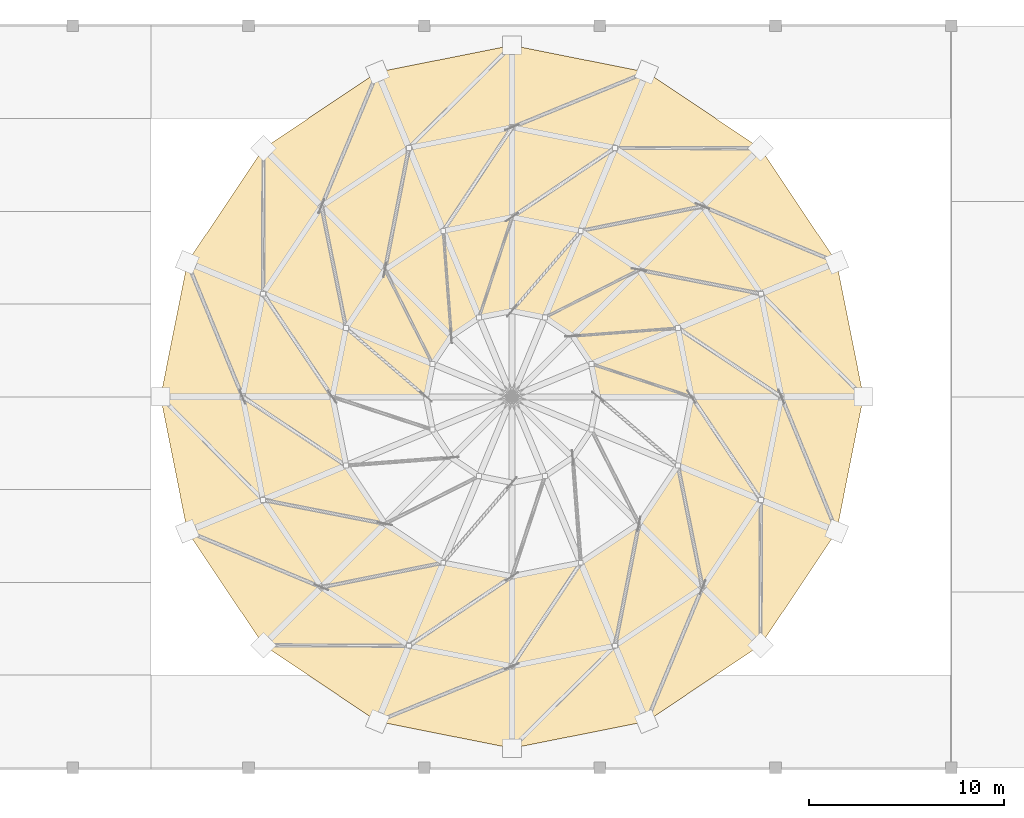
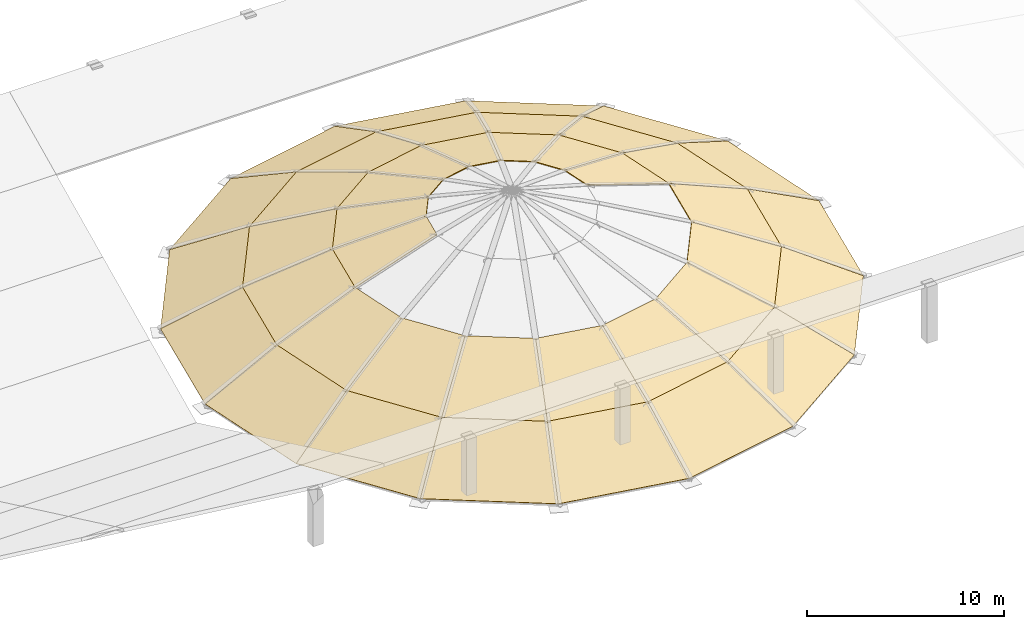
# One storey, part 7 of 7: 40 coverings.
"""IFC4 building model written with IfcOpenShell, lengths in metres."""

from ifc_helpers import new_model, si_unit, direction, frame, origin, place, context, subcontext, project, spatial, polyline, outline, extrude, material, layer, layer_set, type_object, element, save


model = new_model("IFC4")

# Units and contexts
model_context = context("Model", 3, precision=1e-05, world=origin(), true_north=direction((0.0, 1.0)))
body_context = subcontext(model_context, "Body", "Model", "MODEL_VIEW")
ifc_project = project(units=[si_unit("LENGTHUNIT", "METRE"), si_unit("AREAUNIT", "SQUARE_METRE"), si_unit("VOLUMEUNIT", "CUBIC_METRE"), si_unit("PLANEANGLEUNIT", "RADIAN"), si_unit("MASSUNIT", "GRAM", prefix="KILO")], contexts=[model_context])

# Site, building, storey
site_placement = place(None, origin())
site = spatial("IfcSite", under=ifc_project, at=site_placement, CompositionType="ELEMENT")
building_placement = place(site_placement, origin())
building = spatial("IfcBuilding", under=site, at=building_placement, Name="Miravela Opera House", CompositionType="ELEMENT")
storey_placement = place(building_placement, frame((0.0, 0.0, 30.760009765625)))
storey = spatial("IfcBuildingStorey", under=building, at=storey_placement, Name="RF", CompositionType="ELEMENT", Elevation=30.760009765625)

# Coverings
ifc_material = material(Name="Anodised architectural bronze standing-seam metal")
ifc_layer = layer(ifc_material, 0.044921875)
ifc_layer_set = layer_set([ifc_layer])
covering_type = type_object("IfcCoveringType", Name="ARC-COV-BRONZE-SEAM", PredefinedType="ROOFING", material=ifc_layer_set)
covering_1_placement = place(storey_placement, frame((94.5, 56.0, -4.514892578125), z_axis=(0.462034391653, 0.091906329486, 0.882086984106), x_axis=(-0.195088262972, 0.980785689965, -3.316993e-06)))
element("IfcCovering", 1, at=covering_1_placement, inside=storey, type_object=covering_type, Name="Roof Finish Covering 001", PredefinedType="ROOFING", context=body_context, shape_type="SweptSolid", body=[
    extrude(outline(polyline([(0.0, 0.0), (7.023125680777193, 2.220446049250313e-16), (6.203836316813696, 4.669994667139818), (0.8193538814632796, 4.669907303255811), (0.0, 0.0)])), origin(), (0.0, 0.0, -1.0), 0.044921875),
])
covering_2_placement = place(storey_placement, frame((93.1298828125, 62.88818359375, -4.514892578125), z_axis=(0.39169699026, 0.26173074797, 0.882083036561), x_axis=(-0.555588189725, 0.831457613722, 4.759863e-06)))
element("IfcCovering", 2, at=covering_2_placement, inside=storey, type_object=covering_type, Name="Roof Finish Covering 002", PredefinedType="ROOFING", context=body_context, shape_type="SweptSolid", body=[
    extrude(outline(polyline([(0.0, 0.0), (7.023340014399192, 0.0), (6.204093729638533, 4.669815027829243), (0.8195986590513307, 4.669940394733152), (0.0, 0.0)])), origin(), (0.0, 0.0, -1.0), 0.044921875),
])
covering_3_placement = place(storey_placement, frame((89.227783203125, 68.727783203125, -4.514892578125), z_axis=(0.26173074797, 0.39169699026, 0.882083036561), x_axis=(-0.831457613722, 0.555588189725, -4.759863e-06)))
element("IfcCovering", 3, at=covering_3_placement, inside=storey, type_object=covering_type, Name="Roof Finish Covering 003", PredefinedType="ROOFING", context=body_context, shape_type="SweptSolid", body=[
    extrude(outline(polyline([(0.0, 0.0), (7.023340014399192, 0.0), (6.203741355347861, 4.669940394733152), (0.8192462847606585, 4.669815027829243), (0.0, 0.0)])), origin(), (0.0, 0.0, -1.0), 0.044921875),
])
covering_4_placement = place(storey_placement, frame((83.38818359375, 72.6298828125, -4.514892578125), z_axis=(0.091906329486, 0.462034391653, 0.882086984106), x_axis=(-0.980785689965, 0.195088262972, 3.316993e-06)))
element("IfcCovering", 4, at=covering_4_placement, inside=storey, type_object=covering_type, Name="Roof Finish Covering 004", PredefinedType="ROOFING", context=body_context, shape_type="SweptSolid", body=[
    extrude(outline(polyline([(0.0, 0.0), (7.023125680777193, -2.220446049250313e-16), (6.203771799313913, 4.669907303255811), (0.8192893639634973, 4.669994667139817), (0.0, 0.0)])), origin(), (0.0, 0.0, -1.0), 0.044921875),
])
covering_5_placement = place(storey_placement, frame((76.5, 74.0, -4.514892578125), z_axis=(-0.091906329486, 0.462034391653, 0.882086984106), x_axis=(-0.980785689965, -0.195088262972, -3.316993e-06)))
element("IfcCovering", 5, at=covering_5_placement, inside=storey, type_object=covering_type, Name="Roof Finish Covering 005", PredefinedType="ROOFING", context=body_context, shape_type="SweptSolid", body=[
    extrude(outline(polyline([(0.0, 0.0), (7.023125680777193, 2.220446049250313e-16), (6.203836316813696, 4.669994667139818), (0.8193538814632796, 4.669907303255811), (0.0, 0.0)])), origin(), (0.0, 0.0, -1.0), 0.044921875),
])
covering_6_placement = place(storey_placement, frame((69.61181640625, 72.6298828125, -4.514892578125), z_axis=(-0.26173074797, 0.39169699026, 0.882083036561), x_axis=(-0.831457613722, -0.555588189725, 4.759863e-06)))
element("IfcCovering", 6, at=covering_6_placement, inside=storey, type_object=covering_type, Name="Roof Finish Covering 006", PredefinedType="ROOFING", context=body_context, shape_type="SweptSolid", body=[
    extrude(outline(polyline([(0.0, 0.0), (7.023340014399192, 0.0), (6.204093729638533, 4.669815027829243), (0.8195986590513307, 4.669940394733152), (0.0, 0.0)])), origin(), (0.0, 0.0, -1.0), 0.044921875),
])
covering_7_placement = place(storey_placement, frame((63.772216796875, 68.727783203125, -4.514892578125), z_axis=(-0.39169699026, 0.26173074797, 0.882083036561), x_axis=(-0.555588189725, -0.831457613722, -4.759863e-06)))
element("IfcCovering", 7, at=covering_7_placement, inside=storey, type_object=covering_type, Name="Roof Finish Covering 007", PredefinedType="ROOFING", context=body_context, shape_type="SweptSolid", body=[
    extrude(outline(polyline([(0.0, 0.0), (7.023340014399192, 0.0), (6.203741355347861, 4.669940394733152), (0.8192462847606585, 4.669815027829243), (0.0, 0.0)])), origin(), (0.0, 0.0, -1.0), 0.044921875),
])
covering_8_placement = place(storey_placement, frame((59.8701171875, 62.88818359375, -4.514892578125), z_axis=(-0.462034391653, 0.091906329486, 0.882086984106), x_axis=(-0.195088262972, -0.980785689965, 3.316993e-06)))
element("IfcCovering", 8, at=covering_8_placement, inside=storey, type_object=covering_type, Name="Roof Finish Covering 008", PredefinedType="ROOFING", context=body_context, shape_type="SweptSolid", body=[
    extrude(outline(polyline([(0.0, 0.0), (7.023125680777193, -2.220446049250313e-16), (6.203771799313913, 4.669907303255811), (0.8192893639634973, 4.669994667139817), (0.0, 0.0)])), origin(), (0.0, 0.0, -1.0), 0.044921875),
])
covering_9_placement = place(storey_placement, frame((58.5, 56.0, -4.514892578125), z_axis=(-0.462034391653, -0.091906329486, 0.882086984106), x_axis=(0.195088262972, -0.980785689965, -3.316993e-06)))
element("IfcCovering", 9, at=covering_9_placement, inside=storey, type_object=covering_type, Name="Roof Finish Covering 009", PredefinedType="ROOFING", context=body_context, shape_type="SweptSolid", body=[
    extrude(outline(polyline([(0.0, 0.0), (7.023125680777193, 2.220446049250313e-16), (6.203836316813696, 4.669994667139818), (0.8193538814632796, 4.669907303255811), (0.0, 0.0)])), origin(), (0.0, 0.0, -1.0), 0.044921875),
])
covering_10_placement = place(storey_placement, frame((59.8701171875, 49.11181640625, -4.514892578125), z_axis=(-0.39169699026, -0.26173074797, 0.882083036561), x_axis=(0.555588189725, -0.831457613722, 4.759863e-06)))
element("IfcCovering", 10, at=covering_10_placement, inside=storey, type_object=covering_type, Name="Roof Finish Covering 010", PredefinedType="ROOFING", context=body_context, shape_type="SweptSolid", body=[
    extrude(outline(polyline([(0.0, 0.0), (7.023340014399192, 0.0), (6.204093729638533, 4.669815027829243), (0.8195986590513307, 4.669940394733152), (0.0, 0.0)])), origin(), (0.0, 0.0, -1.0), 0.044921875),
])
covering_11_placement = place(storey_placement, frame((63.772216796875, 43.272216796875, -4.514892578125), z_axis=(-0.26173074797, -0.39169699026, 0.882083036561), x_axis=(0.831457613722, -0.555588189725, -4.759863e-06)))
element("IfcCovering", 11, at=covering_11_placement, inside=storey, type_object=covering_type, Name="Roof Finish Covering 011", PredefinedType="ROOFING", context=body_context, shape_type="SweptSolid", body=[
    extrude(outline(polyline([(0.0, 0.0), (7.023340014399192, 0.0), (6.203741355347861, 4.669940394733152), (0.8192462847606585, 4.669815027829243), (0.0, 0.0)])), origin(), (0.0, 0.0, -1.0), 0.044921875),
])
covering_12_placement = place(storey_placement, frame((69.61181640625, 39.3701171875, -4.514892578125), z_axis=(-0.091906329486, -0.462034391653, 0.882086984106), x_axis=(0.980785689965, -0.195088262972, 3.316993e-06)))
element("IfcCovering", 12, at=covering_12_placement, inside=storey, type_object=covering_type, Name="Roof Finish Covering 012", PredefinedType="ROOFING", context=body_context, shape_type="SweptSolid", body=[
    extrude(outline(polyline([(0.0, 0.0), (7.023125680777193, -2.220446049250313e-16), (6.203771799313913, 4.669907303255811), (0.8192893639634973, 4.669994667139817), (0.0, 0.0)])), origin(), (0.0, 0.0, -1.0), 0.044921875),
])
covering_13_placement = place(storey_placement, frame((76.5, 38.0, -4.514892578125), z_axis=(0.091906329486, -0.462034391653, 0.882086984106), x_axis=(0.980785689965, 0.195088262972, -3.316993e-06)))
element("IfcCovering", 13, at=covering_13_placement, inside=storey, type_object=covering_type, Name="Roof Finish Covering 013", PredefinedType="ROOFING", context=body_context, shape_type="SweptSolid", body=[
    extrude(outline(polyline([(0.0, 0.0), (7.023125680777193, 2.220446049250313e-16), (6.203836316813696, 4.669994667139818), (0.8193538814632796, 4.669907303255811), (0.0, 0.0)])), origin(), (0.0, 0.0, -1.0), 0.044921875),
])
covering_14_placement = place(storey_placement, frame((83.38818359375, 39.3701171875, -4.514892578125), z_axis=(0.26173074797, -0.39169699026, 0.882083036561), x_axis=(0.831457613722, 0.555588189725, 4.759863e-06)))
element("IfcCovering", 14, at=covering_14_placement, inside=storey, type_object=covering_type, Name="Roof Finish Covering 014", PredefinedType="ROOFING", context=body_context, shape_type="SweptSolid", body=[
    extrude(outline(polyline([(0.0, 0.0), (7.023340014399192, 0.0), (6.204093729638533, 4.669815027829243), (0.8195986590513307, 4.669940394733152), (0.0, 0.0)])), origin(), (0.0, 0.0, -1.0), 0.044921875),
])
covering_15_placement = place(storey_placement, frame((89.227783203125, 43.272216796875, -4.514892578125), z_axis=(0.39169699026, -0.26173074797, 0.882083036561), x_axis=(0.555588189725, 0.831457613722, -4.759863e-06)))
element("IfcCovering", 15, at=covering_15_placement, inside=storey, type_object=covering_type, Name="Roof Finish Covering 015", PredefinedType="ROOFING", context=body_context, shape_type="SweptSolid", body=[
    extrude(outline(polyline([(0.0, 0.0), (7.023340014399192, 0.0), (6.203741355347861, 4.669940394733152), (0.8192462847606585, 4.669815027829243), (0.0, 0.0)])), origin(), (0.0, 0.0, -1.0), 0.044921875),
])
covering_16_placement = place(storey_placement, frame((93.1298828125, 49.11181640625, -4.514892578125), z_axis=(0.462034391653, -0.091906329486, 0.882086984106), x_axis=(0.195088262972, 0.980785689965, 3.316993e-06)))
element("IfcCovering", 16, at=covering_16_placement, inside=storey, type_object=covering_type, Name="Roof Finish Covering 016", PredefinedType="ROOFING", context=body_context, shape_type="SweptSolid", body=[
    extrude(outline(polyline([(0.0, 0.0), (7.023125680777193, -2.220446049250313e-16), (6.203771799313913, 4.669907303255811), (0.8192893639634973, 4.669994667139817), (0.0, 0.0)])), origin(), (0.0, 0.0, -1.0), 0.044921875),
])
covering_17_placement = place(storey_placement, frame((90.300048828125, 56.0, -2.31494140625), z_axis=(0.389114506092, 0.077397651259, 0.917932189614), x_axis=(-0.195101546935, 0.980783047536, 7.122312e-06)))
element("IfcCovering", 17, at=covering_17_placement, inside=storey, type_object=covering_type, Name="Roof Finish Covering 017", PredefinedType="ROOFING", context=body_context, shape_type="SweptSolid", body=[
    extrude(outline(polyline([(0.0, 0.0), (5.3844824359618455, 2.220446049250313e-16), (4.487203075772383, 4.914887384212354), (0.8975000569448186, 4.915048490683691), (0.0, 0.0)])), origin(), (0.0, 0.0, -1.0), 0.044921875),
])
covering_18_placement = place(storey_placement, frame((89.24951171875, 61.281005859375, -2.31494140625), z_axis=(0.32987652046, 0.220421369003, 0.917930226835), x_axis=(-0.55557000273, 0.831469766165, -4.580708e-06)))
element("IfcCovering", 18, at=covering_18_placement, inside=storey, type_object=covering_type, Name="Roof Finish Covering 018", PredefinedType="ROOFING", context=body_context, shape_type="SweptSolid", body=[
    extrude(outline(polyline([(0.0, 0.0), (5.384495072112991, 0.0), (4.4870709670453195, 4.914963487282201), (0.8974300384168855, 4.91485987357547), (0.0, 0.0)])), origin(), (0.0, 0.0, -1.0), 0.044921875),
])
covering_19_placement = place(storey_placement, frame((86.258056640625, 65.758056640625, -2.31494140625), z_axis=(0.220421369003, 0.32987652046, 0.917930226835), x_axis=(-0.831469766165, 0.55557000273, 4.580708e-06)))
element("IfcCovering", 19, at=covering_19_placement, inside=storey, type_object=covering_type, Name="Roof Finish Covering 019", PredefinedType="ROOFING", context=body_context, shape_type="SweptSolid", body=[
    extrude(outline(polyline([(0.0, 0.0), (5.384495072112991, 0.0), (4.487065033696106, 4.91485987357547), (0.8974241050676729, 4.914963487282201), (0.0, 0.0)])), origin(), (0.0, 0.0, -1.0), 0.044921875),
])
covering_20_placement = place(storey_placement, frame((81.781005859375, 68.74951171875, -2.31494140625), z_axis=(0.077397651259, 0.389114506092, 0.917932189614), x_axis=(-0.980783047536, 0.195101546935, -7.122312e-06)))
element("IfcCovering", 20, at=covering_20_placement, inside=storey, type_object=covering_type, Name="Roof Finish Covering 020", PredefinedType="ROOFING", context=body_context, shape_type="SweptSolid", body=[
    extrude(outline(polyline([(0.0, 0.0), (5.3844824359618455, -2.220446049250313e-16), (4.486982379017027, 4.91504849068369), (0.8972793601894631, 4.914887384212354), (0.0, 0.0)])), origin(), (0.0, 0.0, -1.0), 0.044921875),
])
covering_21_placement = place(storey_placement, frame((76.5, 69.800048828125, -2.31494140625), z_axis=(-0.077397651259, 0.389114506092, 0.917932189614), x_axis=(-0.980783047536, -0.195101546935, 7.122312e-06)))
element("IfcCovering", 21, at=covering_21_placement, inside=storey, type_object=covering_type, Name="Roof Finish Covering 021", PredefinedType="ROOFING", context=body_context, shape_type="SweptSolid", body=[
    extrude(outline(polyline([(0.0, 0.0), (5.3844824359618455, 2.220446049250313e-16), (4.487203075772383, 4.914887384212354), (0.8975000569448186, 4.915048490683691), (0.0, 0.0)])), origin(), (0.0, 0.0, -1.0), 0.044921875),
])
covering_22_placement = place(storey_placement, frame((71.218994140625, 68.74951171875, -2.31494140625), z_axis=(-0.220421369003, 0.32987652046, 0.917930226835), x_axis=(-0.831469766165, -0.55557000273, -4.580708e-06)))
element("IfcCovering", 22, at=covering_22_placement, inside=storey, type_object=covering_type, Name="Roof Finish Covering 022", PredefinedType="ROOFING", context=body_context, shape_type="SweptSolid", body=[
    extrude(outline(polyline([(0.0, 0.0), (5.384495072112991, 0.0), (4.4870709670453195, 4.914963487282201), (0.8974300384168855, 4.91485987357547), (0.0, 0.0)])), origin(), (0.0, 0.0, -1.0), 0.044921875),
])
covering_23_placement = place(storey_placement, frame((66.741943359375, 65.758056640625, -2.31494140625), z_axis=(-0.32987652046, 0.220421369003, 0.917930226835), x_axis=(-0.55557000273, -0.831469766165, 4.580708e-06)))
element("IfcCovering", 23, at=covering_23_placement, inside=storey, type_object=covering_type, Name="Roof Finish Covering 023", PredefinedType="ROOFING", context=body_context, shape_type="SweptSolid", body=[
    extrude(outline(polyline([(0.0, 0.0), (5.384495072112991, 0.0), (4.487065033696106, 4.91485987357547), (0.8974241050676729, 4.914963487282201), (0.0, 0.0)])), origin(), (0.0, 0.0, -1.0), 0.044921875),
])
covering_24_placement = place(storey_placement, frame((63.75048828125, 61.281005859375, -2.31494140625), z_axis=(-0.389114506092, 0.077397651259, 0.917932189614), x_axis=(-0.195101546935, -0.980783047536, -7.122312e-06)))
element("IfcCovering", 24, at=covering_24_placement, inside=storey, type_object=covering_type, Name="Roof Finish Covering 024", PredefinedType="ROOFING", context=body_context, shape_type="SweptSolid", body=[
    extrude(outline(polyline([(0.0, 0.0), (5.3844824359618455, -2.220446049250313e-16), (4.486982379017027, 4.91504849068369), (0.8972793601894631, 4.914887384212354), (0.0, 0.0)])), origin(), (0.0, 0.0, -1.0), 0.044921875),
])
covering_25_placement = place(storey_placement, frame((62.699951171875, 56.0, -2.31494140625), z_axis=(-0.389114506092, -0.077397651259, 0.917932189614), x_axis=(0.195101546935, -0.980783047536, 7.122312e-06)))
element("IfcCovering", 25, at=covering_25_placement, inside=storey, type_object=covering_type, Name="Roof Finish Covering 025", PredefinedType="ROOFING", context=body_context, shape_type="SweptSolid", body=[
    extrude(outline(polyline([(0.0, 0.0), (5.3844824359618455, 2.220446049250313e-16), (4.487203075772383, 4.914887384212354), (0.8975000569448186, 4.915048490683691), (0.0, 0.0)])), origin(), (0.0, 0.0, -1.0), 0.044921875),
])
covering_26_placement = place(storey_placement, frame((63.75048828125, 50.718994140625, -2.31494140625), z_axis=(-0.32987652046, -0.220421369003, 0.917930226835), x_axis=(0.55557000273, -0.831469766165, -4.580708e-06)))
element("IfcCovering", 26, at=covering_26_placement, inside=storey, type_object=covering_type, Name="Roof Finish Covering 026", PredefinedType="ROOFING", context=body_context, shape_type="SweptSolid", body=[
    extrude(outline(polyline([(0.0, 0.0), (5.384495072112991, 0.0), (4.4870709670453195, 4.914963487282201), (0.8974300384168855, 4.91485987357547), (0.0, 0.0)])), origin(), (0.0, 0.0, -1.0), 0.044921875),
])
covering_27_placement = place(storey_placement, frame((66.741943359375, 46.241943359375, -2.31494140625), z_axis=(-0.220421369003, -0.32987652046, 0.917930226835), x_axis=(0.831469766165, -0.55557000273, 4.580708e-06)))
element("IfcCovering", 27, at=covering_27_placement, inside=storey, type_object=covering_type, Name="Roof Finish Covering 027", PredefinedType="ROOFING", context=body_context, shape_type="SweptSolid", body=[
    extrude(outline(polyline([(0.0, 0.0), (5.384495072112991, 0.0), (4.487065033696106, 4.91485987357547), (0.8974241050676729, 4.914963487282201), (0.0, 0.0)])), origin(), (0.0, 0.0, -1.0), 0.044921875),
])
covering_28_placement = place(storey_placement, frame((71.218994140625, 43.25048828125, -2.31494140625), z_axis=(-0.077397651259, -0.389114506092, 0.917932189614), x_axis=(0.980783047536, -0.195101546935, -7.122312e-06)))
element("IfcCovering", 28, at=covering_28_placement, inside=storey, type_object=covering_type, Name="Roof Finish Covering 028", PredefinedType="ROOFING", context=body_context, shape_type="SweptSolid", body=[
    extrude(outline(polyline([(0.0, 0.0), (5.3844824359618455, -2.220446049250313e-16), (4.486982379017027, 4.91504849068369), (0.8972793601894631, 4.914887384212354), (0.0, 0.0)])), origin(), (0.0, 0.0, -1.0), 0.044921875),
])
covering_29_placement = place(storey_placement, frame((76.5, 42.199951171875, -2.31494140625), z_axis=(0.077397651259, -0.389114506092, 0.917932189614), x_axis=(0.980783047536, 0.195101546935, 7.122312e-06)))
element("IfcCovering", 29, at=covering_29_placement, inside=storey, type_object=covering_type, Name="Roof Finish Covering 029", PredefinedType="ROOFING", context=body_context, shape_type="SweptSolid", body=[
    extrude(outline(polyline([(0.0, 0.0), (5.3844824359618455, 2.220446049250313e-16), (4.487203075772383, 4.914887384212354), (0.8975000569448186, 4.915048490683691), (0.0, 0.0)])), origin(), (0.0, 0.0, -1.0), 0.044921875),
])
covering_30_placement = place(storey_placement, frame((81.781005859375, 43.25048828125, -2.31494140625), z_axis=(0.220421369003, -0.32987652046, 0.917930226835), x_axis=(0.831469766165, 0.55557000273, -4.580708e-06)))
element("IfcCovering", 30, at=covering_30_placement, inside=storey, type_object=covering_type, Name="Roof Finish Covering 030", PredefinedType="ROOFING", context=body_context, shape_type="SweptSolid", body=[
    extrude(outline(polyline([(0.0, 0.0), (5.384495072112991, 0.0), (4.4870709670453195, 4.914963487282201), (0.8974300384168855, 4.91485987357547), (0.0, 0.0)])), origin(), (0.0, 0.0, -1.0), 0.044921875),
])
covering_31_placement = place(storey_placement, frame((86.258056640625, 46.241943359375, -2.31494140625), z_axis=(0.32987652046, -0.220421369003, 0.917930226835), x_axis=(0.55557000273, 0.831469766165, 4.580708e-06)))
element("IfcCovering", 31, at=covering_31_placement, inside=storey, type_object=covering_type, Name="Roof Finish Covering 031", PredefinedType="ROOFING", context=body_context, shape_type="SweptSolid", body=[
    extrude(outline(polyline([(0.0, 0.0), (5.384495072112991, 0.0), (4.487065033696106, 4.91485987357547), (0.8974241050676729, 4.914963487282201), (0.0, 0.0)])), origin(), (0.0, 0.0, -1.0), 0.044921875),
])
covering_32_placement = place(storey_placement, frame((89.24951171875, 50.718994140625, -2.31494140625), z_axis=(0.389114506092, -0.077397651259, 0.917932189614), x_axis=(0.195101546935, 0.980783047536, -7.122312e-06)))
element("IfcCovering", 32, at=covering_32_placement, inside=storey, type_object=covering_type, Name="Roof Finish Covering 032", PredefinedType="ROOFING", context=body_context, shape_type="SweptSolid", body=[
    extrude(outline(polyline([(0.0, 0.0), (5.3844824359618455, -2.220446049250313e-16), (4.486982379017027, 4.91504849068369), (0.8972793601894631, 4.914887384212354), (0.0, 0.0)])), origin(), (0.0, 0.0, -1.0), 0.044921875),
])
covering_33_placement = place(storey_placement, frame((85.699951171875, 56.0, -0.364990234375), z_axis=(0.315625174562, 0.062760817852, 0.946806120029), x_axis=(-0.195053623714, 0.980792579395, 8.966575e-06)))
element("IfcCovering", 33, at=covering_33_placement, inside=storey, type_object=covering_type, Name="Roof Finish Covering 033", PredefinedType="ROOFING", context=body_context, shape_type="SweptSolid", body=[
    extrude(outline(polyline([(0.0, 0.0), (3.5897030225249504, 1.1102230246251565e-16), (2.653064697501389, 4.972191497317324), (0.9362812653244141, 4.972339354163966), (0.0, 0.0)])), origin(), (0.0, 0.0, -1.0), 0.044921875),
])
covering_34_placement = place(storey_placement, frame((84.999755859375, 59.520751953125, -0.364990234375), z_axis=(0.267569260805, 0.178794067811, 0.946804822542), x_axis=(-0.555594214421, 0.831453587942, 1.018241e-06)))
element("IfcCovering", 34, at=covering_34_placement, inside=storey, type_object=covering_type, Name="Roof Finish Covering 034", PredefinedType="ROOFING", context=body_context, shape_type="SweptSolid", body=[
    extrude(outline(polyline([(0.0, 0.0), (3.589640930222311, -4.440892098500626e-16), (2.6533639924450694, 4.972198040379219), (0.9365144503461714, 4.972214830770213), (0.0, 0.0)])), origin(), (0.0, 0.0, -1.0), 0.044921875),
])
covering_35_placement = place(storey_placement, frame((83.00537109375, 62.50537109375, -0.364990234375), z_axis=(0.178794067811, 0.267569260805, 0.946804822542), x_axis=(-0.831453587942, 0.555594214421, -1.018241e-06)))
element("IfcCovering", 35, at=covering_35_placement, inside=storey, type_object=covering_type, Name="Roof Finish Covering 035", PredefinedType="ROOFING", context=body_context, shape_type="SweptSolid", body=[
    extrude(outline(polyline([(0.0, 0.0), (3.589640930222311, 4.440892098500626e-16), (2.6531264798761396, 4.972214830770213), (0.9362769377772421, 4.972198040379219), (0.0, 0.0)])), origin(), (0.0, 0.0, -1.0), 0.044921875),
])
covering_36_placement = place(storey_placement, frame((80.020751953125, 64.499755859375, -0.364990234375), z_axis=(0.062760817852, 0.315625174562, 0.946806120029), x_axis=(-0.980792579395, 0.195053623714, -8.966575e-06)))
element("IfcCovering", 36, at=covering_36_placement, inside=storey, type_object=covering_type, Name="Roof Finish Covering 036", PredefinedType="ROOFING", context=body_context, shape_type="SweptSolid", body=[
    extrude(outline(polyline([(0.0, 0.0), (3.5897030225249504, -1.1102230246251565e-16), (2.6534217572005363, 4.972339354163966), (0.9366383250235615, 4.972191497317324), (0.0, 0.0)])), origin(), (0.0, 0.0, -1.0), 0.044921875),
])
covering_37_placement = place(storey_placement, frame((76.5, 65.199951171875, -0.364990234375), z_axis=(-0.062760817852, 0.315625174562, 0.946806120029), x_axis=(-0.980792579395, -0.195053623714, 8.966575e-06)))
element("IfcCovering", 37, at=covering_37_placement, inside=storey, type_object=covering_type, Name="Roof Finish Covering 037", PredefinedType="ROOFING", context=body_context, shape_type="SweptSolid", body=[
    extrude(outline(polyline([(0.0, 0.0), (3.5897030225249504, 1.1102230246251565e-16), (2.653064697501389, 4.972191497317324), (0.9362812653244141, 4.972339354163966), (0.0, 0.0)])), origin(), (0.0, 0.0, -1.0), 0.044921875),
])
covering_38_placement = place(storey_placement, frame((72.979248046875, 64.499755859375, -0.364990234375), z_axis=(-0.178794067811, 0.267569260805, 0.946804822542), x_axis=(-0.831453587942, -0.555594214421, 1.018241e-06)))
element("IfcCovering", 38, at=covering_38_placement, inside=storey, type_object=covering_type, Name="Roof Finish Covering 038", PredefinedType="ROOFING", context=body_context, shape_type="SweptSolid", body=[
    extrude(outline(polyline([(0.0, 0.0), (3.589640930222311, -4.440892098500626e-16), (2.6533639924450694, 4.972198040379219), (0.9365144503461714, 4.972214830770213), (0.0, 0.0)])), origin(), (0.0, 0.0, -1.0), 0.044921875),
])
covering_39_placement = place(storey_placement, frame((69.99462890625, 62.50537109375, -0.364990234375), z_axis=(-0.267569260805, 0.178794067811, 0.946804822542), x_axis=(-0.555594214421, -0.831453587942, -1.018241e-06)))
element("IfcCovering", 39, at=covering_39_placement, inside=storey, type_object=covering_type, Name="Roof Finish Covering 039", PredefinedType="ROOFING", context=body_context, shape_type="SweptSolid", body=[
    extrude(outline(polyline([(0.0, 0.0), (3.589640930222311, 4.440892098500626e-16), (2.6531264798761396, 4.972214830770213), (0.9362769377772421, 4.972198040379219), (0.0, 0.0)])), origin(), (0.0, 0.0, -1.0), 0.044921875),
])
covering_40_placement = place(storey_placement, frame((68.000244140625, 59.520751953125, -0.364990234375), z_axis=(-0.315625174562, 0.062760817852, 0.946806120029), x_axis=(-0.195053623714, -0.980792579395, -8.966575e-06)))
element("IfcCovering", 40, at=covering_40_placement, inside=storey, type_object=covering_type, Name="Roof Finish Covering 040", PredefinedType="ROOFING", context=body_context, shape_type="SweptSolid", body=[
    extrude(outline(polyline([(0.0, 0.0), (3.5897030225249504, -1.1102230246251565e-16), (2.6534217572005363, 4.972339354163966), (0.9366383250235615, 4.972191497317324), (0.0, 0.0)])), origin(), (0.0, 0.0, -1.0), 0.044921875),
])

save(model, "model.ifc")
